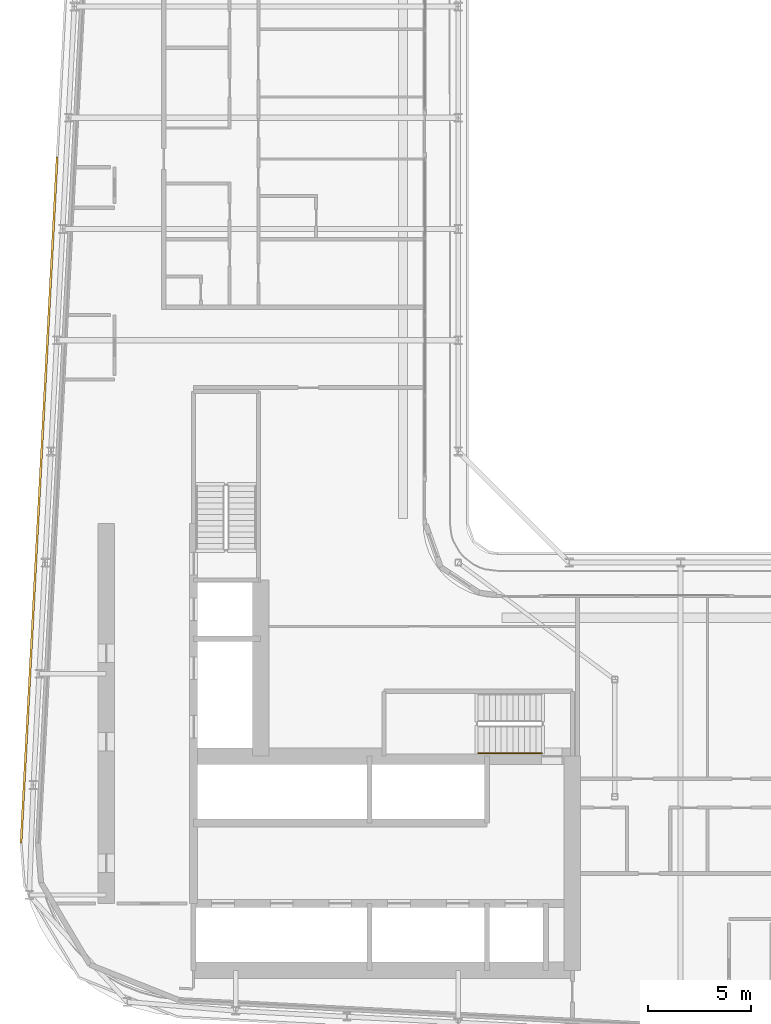
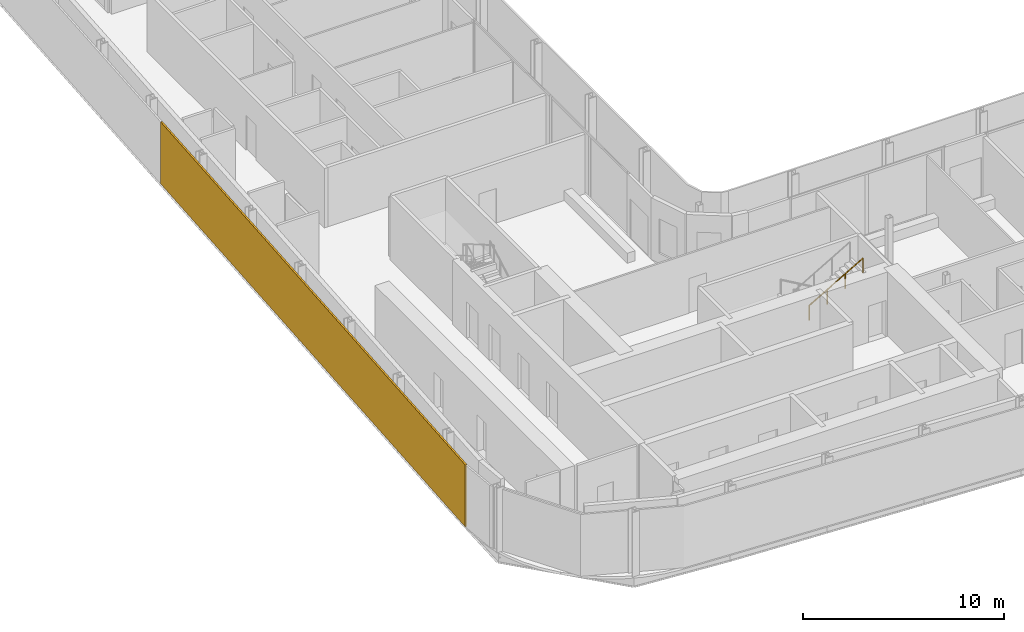
# One storey, part 23 of 29: 1 railing, 1 shading device.
"""IFC4 building model written with IfcOpenShell, lengths in metres."""

from ifc_helpers import new_model, si_unit, direction, frame, origin, origin_2d, place, context, subcontext, project, spatial, rectangle, circle, extrude, material, layer, layer_set, type_object, element, save


model = new_model("IFC4")

# Units and contexts
model_context = context("Model", 3, precision=1e-05, world=origin(), true_north=direction((0.0, 1.0)))
body_context = subcontext(model_context, "Body", "Model", "MODEL_VIEW")
ifc_project = project(units=[si_unit("LENGTHUNIT", "METRE"), si_unit("AREAUNIT", "SQUARE_METRE"), si_unit("VOLUMEUNIT", "CUBIC_METRE"), si_unit("PLANEANGLEUNIT", "RADIAN"), si_unit("MASSUNIT", "GRAM", prefix="KILO")], contexts=[model_context])

# Site, building, storey
site_placement = place(None, origin())
site = spatial("IfcSite", under=ifc_project, at=site_placement, CompositionType="ELEMENT")
building_placement = place(site_placement, origin())
building = spatial("IfcBuilding", under=site, at=building_placement, Name="Kheshtan School and Residences Tower", CompositionType="ELEMENT")
storey_placement = place(building_placement, frame((0.0, 0.0, 172.10009765625)))
storey = spatial("IfcBuildingStorey", under=building, at=storey_placement, Name="L40", CompositionType="ELEMENT", Elevation=172.10009765625)

# Shading device
ifc_material_1 = material(Name="Terracotta baguette, extruded ceramic", Category="masonry")
ifc_layer = layer(ifc_material_1, 0.10009765625)
ifc_layer_set = layer_set([ifc_layer], Name="Ledge screen, terracotta baguettes")
shading_device_type = type_object("IfcShadingDeviceType", Name="Ledge screen, terracotta baguettes", PredefinedType="USERDEFINED", material=ifc_layer_set)
shading_device_placement = place(storey_placement, frame((27.24609375, 48.638916015625, 0.0), z_axis=(0.0, 0.0, 1.0), x_axis=(0.052562536748, 0.998617634398, 0.0)))
element("IfcShadingDevice", 1, at=shading_device_placement, inside=storey, type_object=shading_device_type, Name="Screen L40 4", ObjectType="BAGUETTE", PredefinedType="USERDEFINED", context=body_context, shape_type="SweptSolid", body=[
    extrude(rectangle(XDim=33.341064453125, YDim=0.10009765625, at=origin_2d()), origin(), (0.0, 0.0, 1.0), 3.75),
])

# Railing
ifc_material_2 = material(Name="Stainless steel handrail", Category="steel")
railing_type = type_object("IfcRailingType", Name="Stair handrail 900", PredefinedType="HANDRAIL", material=ifc_material_2)
railing_placement = place(storey_placement, frame((48.570068359375, 36.35009765625, 2.1123046875)))
element("IfcRailing", 2, at=railing_placement, inside=storey, type_object=railing_type, Name="L40 ST1 stair handrail 2", PredefinedType="HANDRAIL", context=body_context, shape_type="SweptSolid", body=[
    extrude(circle(Radius=0.02392578125, at=origin_2d()), frame((0.0, 0.0, 0.8759765625), z_axis=(0.864873446163, 0.0, 0.501989962173), x_axis=(0.0, 1.0, 0.0)), (0.0, 0.0, 1.0), 3.56103515625),
    extrude(circle(Radius=0.02099609375, at=origin_2d()), origin(), (0.0, 0.0, 1.0), 0.851806640625),
    extrude(circle(Radius=0.02099609375, at=origin_2d()), frame((1.026611328125, 0.0, 0.595947265625)), (0.0, 0.0, 1.0), 0.851806640625),
    extrude(circle(Radius=0.02099609375, at=origin_2d()), frame((2.05322265625, 0.0, 1.191650390625)), (0.0, 0.0, 1.0), 0.851806640625),
    extrude(circle(Radius=0.02099609375, at=origin_2d()), frame((3.079833984375, 0.0, 1.78759765625)), (0.0, 0.0, 1.0), 0.851806640625),
])

save(model, "model.ifc")
